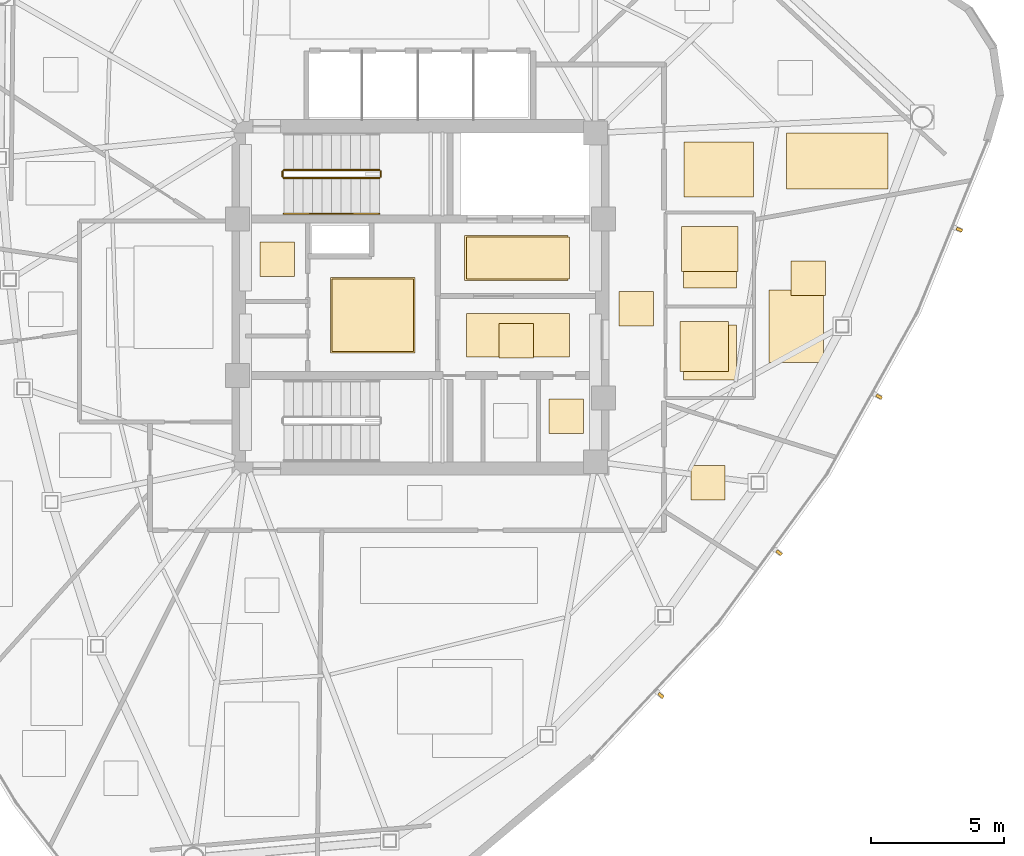
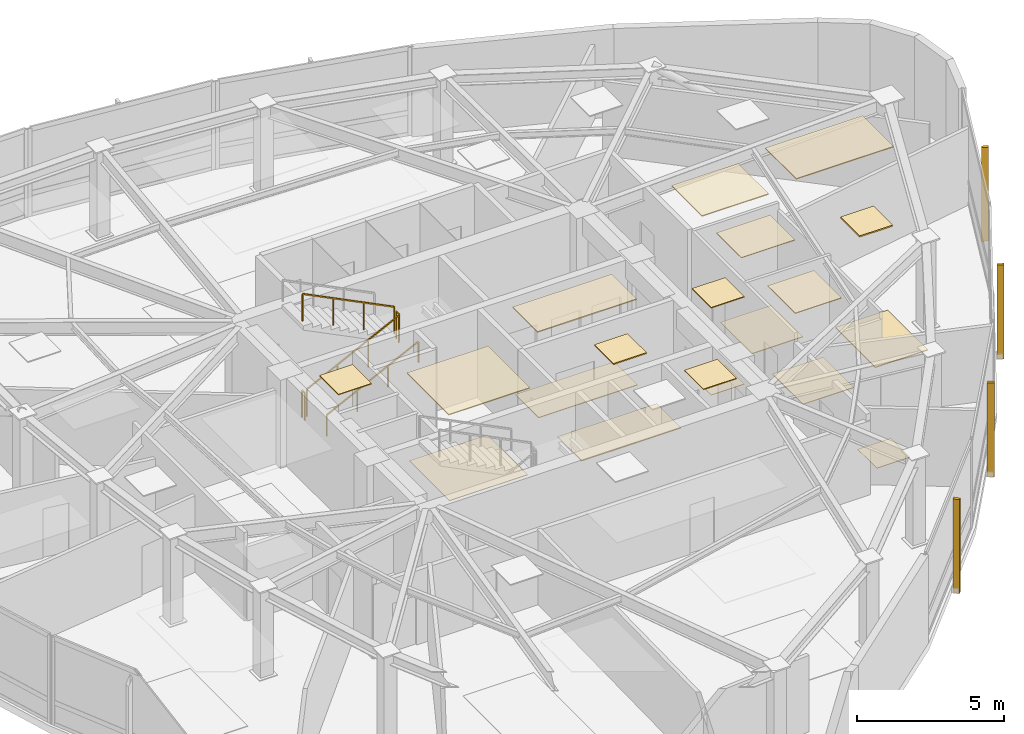
# One storey, part 13 of 14: 19 coverings, 5 railings, 4 shading devices.
"""IFC4 building model written with IfcOpenShell, lengths in metres."""

from ifc_helpers import new_model, si_unit, direction, frame, origin, origin_2d, place, context, subcontext, project, spatial, polyline, rectangle, outline, extrude, source, transform, mapped, material, layer, layer_set, type_object, type_shapes, element, save


model = new_model("IFC4")

# Units and contexts
model_context = context("Model", 3, precision=1e-05, world=origin(), true_north=direction((0.0, 1.0)))
body_context = subcontext(model_context, "Body", "Model", "MODEL_VIEW")
ifc_project = project(units=[si_unit("LENGTHUNIT", "METRE"), si_unit("AREAUNIT", "SQUARE_METRE"), si_unit("VOLUMEUNIT", "CUBIC_METRE"), si_unit("PLANEANGLEUNIT", "RADIAN"), si_unit("MASSUNIT", "GRAM", prefix="KILO")], contexts=[model_context])

# Site, building, storey
site_placement = place(None, origin())
site = spatial("IfcSite", under=ifc_project, at=site_placement, CompositionType="ELEMENT")
building_placement = place(site_placement, origin())
building = spatial("IfcBuilding", under=site, at=building_placement, Name="Tavelor Broadcast Tower", CompositionType="ELEMENT")
storey_placement = place(building_placement, frame((0.0, 0.0, 253.75)))
storey = spatial("IfcBuildingStorey", under=building, at=storey_placement, Name="L60", CompositionType="ELEMENT", Elevation=253.75)

# Coverings
ifc_material_1 = material(Name="Copper-Bronze Anodized Aluminium", Category="aluminium")
ifc_layer_1 = layer(ifc_material_1, 0.044921875)
ifc_layer_set_1 = layer_set([ifc_layer_1], Name="Copper-Bronze Anodized Aluminium")
covering_type_1 = type_object("IfcCoveringType", Name="Anodised Bronze Linear Slatted Concourse Ceiling 45 mm", PredefinedType="CEILING", material=ifc_layer_set_1)
covering_1_placement = place(storey_placement, frame((0.0, 0.0, 3.60498046875)))
element("IfcCovering", 1, at=covering_1_placement, inside=storey, type_object=covering_type_1, Name="L60 Suspended Acoustic Ceiling 2337", PredefinedType="CEILING", context=body_context, shape_type="SweptSolid", body=[
    extrude(outline(polyline([(51.659912109375, 45.6318359375), (55.55712890625, 45.6318359375), (55.55712890625, 47.328125), (51.659912109375, 47.328125), (51.659912109375, 45.6318359375)])), origin(), (0.0, 0.0, 1.0), 0.044921875),
])
covering_2_placement = place(storey_placement, frame((0.0, 0.0, 3.60498046875)))
element("IfcCovering", 2, at=covering_2_placement, inside=storey, type_object=covering_type_1, Name="L60 Suspended Acoustic Ceiling 2338", PredefinedType="CEILING", context=body_context, shape_type="SweptSolid", body=[
    extrude(outline(polyline([(52.95361328125, 42.705078125), (54.25341796875, 42.705078125), (54.25341796875, 44.0048828125), (52.95361328125, 44.0048828125), (52.95361328125, 42.705078125)])), origin(), (0.0, 0.0, 1.0), 0.044921875),
])

# Railing
ifc_material_2 = material(Name="Steel S355", Category="steel")
railing_type_1 = type_object("IfcRailingType", Name="Continuous Brushed Stainless Handrail 900 mm", PredefinedType="HANDRAIL", material=ifc_material_2)
railing_1_placement = place(storey_placement, frame((44.85009765625, 48.14990234375, 0.179443359375)))
element("IfcRailing", 3, at=railing_1_placement, inside=storey, type_object=railing_type_1, Name="L60 ST1 stair handrail 1", PredefinedType="HANDRAIL", context=body_context, shape_type="SweptSolid", body=[
    extrude(rectangle(XDim=0.048095703125, YDim=0.048095703125, at=origin_2d()), frame((0.0, 0.0, 0.8759765625), z_axis=(0.894851606799, 0.0, 0.446363755036), x_axis=(0.0, 1.0, 0.0)), (0.0, 0.0, 1.0), 4.02294921875),
    extrude(rectangle(XDim=0.0419921875, YDim=0.0419921875, at=origin_2d()), origin(), (0.0, 0.0, 1.0), 0.851806640625),
    extrude(rectangle(XDim=0.0419921875, YDim=0.0419921875, at=origin_2d()), frame((1.199951171875, 0.0, 0.5986328125)), (0.0, 0.0, 1.0), 0.851806640625),
    extrude(rectangle(XDim=0.0419921875, YDim=0.0419921875, at=origin_2d()), frame((2.39990234375, 0.0, 1.197021484375)), (0.0, 0.0, 1.0), 0.851806640625),
    extrude(rectangle(XDim=0.0419921875, YDim=0.0419921875, at=origin_2d()), frame((3.599853515625, 0.0, 1.795654296875)), (0.0, 0.0, 1.0), 0.851806640625),
])

# Coverings
ifc_material_3 = material(Name="Architectural Anodized Aluminium", Category="aluminium")
ifc_layer_2 = layer(ifc_material_3, 0.034912109375)
ifc_layer_set_2 = layer_set([ifc_layer_2], Name="Architectural Anodized Aluminium")
covering_type_2 = type_object("IfcCoveringType", Name="Demountable Metal Tile Corridor Ceiling 35 mm", PredefinedType="CEILING", material=ifc_layer_set_2)
covering_3_placement = place(storey_placement, frame((0.0, 0.0, 3.614990234375)))
element("IfcCovering", 4, at=covering_3_placement, inside=storey, type_object=covering_type_2, Name="L60 Suspended Acoustic Ceiling 2343", PredefinedType="CEILING", context=body_context, shape_type="SweptSolid", body=[
    extrude(outline(polyline([(57.489990234375, 43.925048828125), (58.7900390625, 43.925048828125), (58.7900390625, 45.22509765625), (57.489990234375, 45.22509765625), (57.489990234375, 43.925048828125)])), origin(), (0.0, 0.0, 1.0), 0.034912109375),
])
ifc_material_4 = material(Name="Acoustic Nylon Carpet Tile")
ifc_layer_3 = layer(ifc_material_4, 0.02001953125)
ifc_layer_set_3 = layer_set([ifc_layer_3], Name="Acoustic Nylon Carpet Tile")
covering_type_3 = type_object("IfcCoveringType", Name="Heavy-Duty Acoustic Broadcast Carpet Tile 20 mm", PredefinedType="FLOORING", material=ifc_layer_set_3)
covering_4_placement = place(storey_placement, origin())
element("IfcCovering", 5, at=covering_4_placement, inside=storey, type_object=covering_type_3, Name="L60 Broadcast Floor Finish 0880", PredefinedType="FLOORING", context=body_context, shape_type="SweptSolid", body=[
    extrude(outline(polyline([(46.6591796875, 42.953369140625), (49.730712890625, 42.953369140625), (49.730712890625, 45.6865234375), (46.6591796875, 45.6865234375), (46.6591796875, 42.953369140625)])), origin(), (0.0, 0.0, 1.0), 0.02001953125),
])
covering_5_placement = place(storey_placement, origin())
element("IfcCovering", 6, at=covering_5_placement, inside=storey, type_object=covering_type_3, Name="L60 Broadcast Floor Finish 0881", PredefinedType="FLOORING", context=body_context, shape_type="SweptSolid", body=[
    extrude(outline(polyline([(57.489990234375, 43.925048828125), (58.7900390625, 43.925048828125), (58.7900390625, 45.22509765625), (57.489990234375, 45.22509765625), (57.489990234375, 43.925048828125)])), origin(), (0.0, 0.0, 1.0), 0.02001953125),
])
covering_6_placement = place(storey_placement, origin())
element("IfcCovering", 7, at=covering_6_placement, inside=storey, type_object=covering_type_3, Name="L60 Broadcast Floor Finish 0893", PredefinedType="FLOORING", context=body_context, shape_type="SweptSolid", body=[
    extrude(outline(polyline([(60.193115234375, 37.359130859375), (61.4931640625, 37.359130859375), (61.4931640625, 38.6591796875), (60.193115234375, 38.6591796875), (60.193115234375, 37.359130859375)])), origin(), (0.0, 0.0, 1.0), 0.02001953125),
])
ifc_material_5 = material(Name="Honed Natural Limestone Tile", Category="masonry")
ifc_layer_4 = layer(ifc_material_5, 0.030029296875)
ifc_layer_set_4 = layer_set([ifc_layer_4], Name="Honed Natural Limestone Tile")
covering_type_4 = type_object("IfcCoveringType", Name="Honed Jerusalem Limestone Concourse Flooring 30 mm", PredefinedType="FLOORING", material=ifc_layer_set_4)
covering_7_placement = place(storey_placement, origin())
element("IfcCovering", 8, at=covering_7_placement, inside=storey, type_object=covering_type_4, Name="L60 Broadcast Floor Finish 0878", PredefinedType="FLOORING", context=body_context, shape_type="SweptSolid", body=[
    extrude(outline(polyline([(51.7373046875, 45.689453125), (55.62255859375, 45.689453125), (55.62255859375, 47.2705078125), (51.7373046875, 47.2705078125), (51.7373046875, 45.689453125)])), origin(), (0.0, 0.0, 1.0), 0.030029296875),
])
covering_8_placement = place(storey_placement, origin())
element("IfcCovering", 9, at=covering_8_placement, inside=storey, type_object=covering_type_4, Name="L60 Broadcast Floor Finish 0879", PredefinedType="FLOORING", context=body_context, shape_type="SweptSolid", body=[
    extrude(outline(polyline([(51.728759765625, 42.743408203125), (55.62109375, 42.743408203125), (55.62109375, 44.396484375), (51.728759765625, 44.396484375), (51.728759765625, 42.743408203125)])), origin(), (0.0, 0.0, 1.0), 0.030029296875),
])
ifc_material_6 = material(Name="Acoustic Hardwood Studio Flooring", Category="wood")
ifc_layer_5 = layer(ifc_material_6, 0.034912109375)
ifc_layer_set_5 = layer_set([ifc_layer_5], Name="Acoustic Hardwood Studio Flooring")
covering_type_5 = type_object("IfcCoveringType", Name="Isolated Studio Acoustic Elastomeric Floor Finish 35 mm", PredefinedType="FLOORING", material=ifc_layer_set_5)
covering_9_placement = place(storey_placement, origin())
element("IfcCovering", 10, at=covering_9_placement, inside=storey, type_object=covering_type_5, Name="L60 Broadcast Floor Finish 0892", PredefinedType="FLOORING", context=body_context, shape_type="SweptSolid", body=[
    extrude(outline(polyline([(63.135009765625, 42.548583984375), (65.1923828125, 42.548583984375), (65.1923828125, 45.27001953125), (63.135009765625, 45.27001953125), (63.135009765625, 42.548583984375)])), origin(), (0.0, 0.0, 1.0), 0.034912109375),
])
ifc_material_7 = material(Name="Acoustic Perforated Timber Baffle", Category="wood")
ifc_layer_6 = layer(ifc_material_7, 0.054931640625)
ifc_layer_set_6 = layer_set([ifc_layer_6], Name="Acoustic Perforated Timber Baffle")
covering_type_6 = type_object("IfcCoveringType", Name="Micro-Perforated Acoustic Baffle Studio Ceiling 55 mm", PredefinedType="CEILING", material=ifc_layer_set_6)
covering_10_placement = place(storey_placement, frame((0.0, 0.0, 3.594970703125)))
element("IfcCovering", 11, at=covering_10_placement, inside=storey, type_object=covering_type_6, Name="L60 Suspended Acoustic Ceiling 2371", PredefinedType="CEILING", context=body_context, shape_type="SweptSolid", body=[
    extrude(outline(polyline([(63.973388671875, 45.072021484375), (65.273193359375, 45.072021484375), (65.273193359375, 46.3720703125), (63.973388671875, 46.3720703125), (63.973388671875, 45.072021484375)])), origin(), (0.0, 0.0, 1.0), 0.054931640625),
])
ifc_layer_7 = layer(ifc_material_3, 0.030029296875)
ifc_layer_set_7 = layer_set([ifc_layer_7], Name="Architectural Anodized Aluminium")
covering_type_7 = type_object("IfcCoveringType", Name="Moisture-Resistant Washroom Ceiling 30 mm", PredefinedType="CEILING", material=ifc_layer_set_7)
covering_11_placement = place(storey_placement, frame((0.0, 0.0, 3.6201171875)))
element("IfcCovering", 12, at=covering_11_placement, inside=storey, type_object=covering_type_7, Name="L60 Suspended Acoustic Ceiling 2341", PredefinedType="CEILING", context=body_context, shape_type="SweptSolid", body=[
    extrude(outline(polyline([(54.843505859375, 39.866455078125), (56.1435546875, 39.866455078125), (56.1435546875, 41.16650390625), (54.843505859375, 41.16650390625), (54.843505859375, 39.866455078125)])), origin(), (0.0, 0.0, 1.0), 0.02978515625),
])
covering_12_placement = place(storey_placement, frame((0.0, 0.0, 3.6201171875)))
element("IfcCovering", 13, at=covering_12_placement, inside=storey, type_object=covering_type_7, Name="L60 Suspended Acoustic Ceiling 2342", PredefinedType="CEILING", context=body_context, shape_type="SweptSolid", body=[
    extrude(outline(polyline([(43.951416015625, 45.794921875), (45.25146484375, 45.794921875), (45.25146484375, 47.094970703125), (43.951416015625, 47.094970703125), (43.951416015625, 45.794921875)])), origin(), (0.0, 0.0, 1.0), 0.02978515625),
])
covering_13_placement = place(storey_placement, frame((0.0, 0.0, 3.6201171875)))
element("IfcCovering", 14, at=covering_13_placement, inside=storey, type_object=covering_type_7, Name="L60 Suspended Acoustic Ceiling 2346", PredefinedType="CEILING", context=body_context, shape_type="SweptSolid", body=[
    extrude(outline(polyline([(59.7958984375, 42.2060546875), (61.615966796875, 42.2060546875), (61.615966796875, 44.0830078125), (59.7958984375, 44.0830078125), (59.7958984375, 42.2060546875)])), origin(), (0.0, 0.0, 1.0), 0.02978515625),
])
covering_14_placement = place(storey_placement, frame((0.0, 0.0, 3.6201171875)))
element("IfcCovering", 15, at=covering_14_placement, inside=storey, type_object=covering_type_7, Name="L60 Suspended Acoustic Ceiling 2347", PredefinedType="CEILING", context=body_context, shape_type="SweptSolid", body=[
    extrude(outline(polyline([(59.85302734375, 45.971435546875), (61.967041015625, 45.971435546875), (61.967041015625, 47.668212890625), (59.85302734375, 47.668212890625), (59.85302734375, 45.971435546875)])), origin(), (0.0, 0.0, 1.0), 0.02978515625),
])
ifc_material_8 = material(Name="Slip-Resistant Porcelain Tile")
ifc_layer_8 = layer(ifc_material_8, 0.02490234375)
ifc_layer_set_8 = layer_set([ifc_layer_8], Name="Slip-Resistant Porcelain Tile")
covering_type_8 = type_object("IfcCoveringType", Name="Slip-Resistant Porcelain Wet-Area Floor Tile 25 mm", PredefinedType="FLOORING", material=ifc_layer_set_8)
covering_15_placement = place(storey_placement, origin())
element("IfcCovering", 16, at=covering_15_placement, inside=storey, type_object=covering_type_8, Name="L60 Broadcast Floor Finish 0883", PredefinedType="FLOORING", context=body_context, shape_type="SweptSolid", body=[
    extrude(outline(polyline([(59.91064453125, 41.885986328125), (61.909423828125, 41.885986328125), (61.909423828125, 43.964111328125), (59.91064453125, 43.964111328125), (59.91064453125, 41.885986328125)])), origin(), (0.0, 0.0, 1.0), 0.02490234375),
])
covering_16_placement = place(storey_placement, origin())
element("IfcCovering", 17, at=covering_16_placement, inside=storey, type_object=covering_type_8, Name="L60 Broadcast Floor Finish 0884", PredefinedType="FLOORING", context=body_context, shape_type="SweptSolid", body=[
    extrude(outline(polyline([(59.91064453125, 45.35009765625), (61.909423828125, 45.35009765625), (61.909423828125, 47.5), (59.91064453125, 47.5), (59.91064453125, 45.35009765625)])), origin(), (0.0, 0.0, 1.0), 0.02490234375),
])

# Railings
railing_type_2 = type_object("IfcRailingType", Name="Stairwell Steel Safety Guardrail 1150 mm", PredefinedType="GUARDRAIL", material=ifc_material_2)
railing_2_placement = place(storey_placement, frame((44.85009765625, 49.5, 0.179443359375)))
element("IfcRailing", 18, at=railing_2_placement, inside=storey, type_object=railing_type_2, Name="L60 ST1 stair guard 1", PredefinedType="GUARDRAIL", context=body_context, shape_type="SweptSolid", body=[
    extrude(rectangle(XDim=0.048095703125, YDim=0.048095703125, at=origin_2d()), frame((0.0, 0.0, 1.1259765625), z_axis=(0.894851606799, 0.0, 0.446363755036), x_axis=(0.0, 1.0, 0.0)), (0.0, 0.0, 1.0), 4.02294921875),
    extrude(rectangle(XDim=0.0419921875, YDim=0.0419921875, at=origin_2d()), origin(), (0.0, 0.0, 1.0), 1.101806640625),
    extrude(rectangle(XDim=0.0419921875, YDim=0.0419921875, at=origin_2d()), frame((1.199951171875, 0.0, 0.5986328125)), (0.0, 0.0, 1.0), 1.101806640625),
    extrude(rectangle(XDim=0.0419921875, YDim=0.0419921875, at=origin_2d()), frame((2.39990234375, 0.0, 1.197021484375)), (0.0, 0.0, 1.0), 1.101806640625),
    extrude(rectangle(XDim=0.0419921875, YDim=0.0419921875, at=origin_2d()), frame((3.599853515625, 0.0, 1.795654296875)), (0.0, 0.0, 1.0), 1.101806640625),
])
railing_3_placement = place(storey_placement, frame((48.5, 49.550048828125, 1.97509765625)))
element("IfcRailing", 19, at=railing_3_placement, inside=storey, type_object=railing_type_2, Name="L60 ST1 stair guard 2", PredefinedType="GUARDRAIL", context=body_context, shape_type="SweptSolid", body=[
    extrude(rectangle(XDim=0.048095703125, YDim=0.048095703125, at=origin_2d()), frame((0.0, 0.0, 1.1259765625), z_axis=(0.0, 1.0, 0.0), x_axis=(-1.0, 0.0, 0.0)), (0.0, 0.0, 1.0), 0.199951171875),
    extrude(rectangle(XDim=0.0419921875, YDim=0.0419921875, at=origin_2d()), origin(), (0.0, 0.0, 1.0), 1.101806640625),
    extrude(rectangle(XDim=0.0419921875, YDim=0.0419921875, at=origin_2d()), frame((0.0, 0.199951171875, 0.0)), (0.0, 0.0, 1.0), 1.101806640625),
])
railing_4_placement = place(storey_placement, frame((48.449951171875, 49.800048828125, 2.154541015625)))
element("IfcRailing", 20, at=railing_4_placement, inside=storey, type_object=railing_type_2, Name="L60 ST1 stair guard 3", PredefinedType="GUARDRAIL", context=body_context, shape_type="SweptSolid", body=[
    extrude(rectangle(XDim=0.048095703125, YDim=0.048095703125, at=origin_2d()), frame((0.0, 0.0, 1.1259765625), z_axis=(-0.894875846893, 0.0, 0.446315156192), x_axis=(0.0, -1.0, 0.0)), (0.0, 0.0, 1.0), 4.022705078125),
    extrude(rectangle(XDim=0.0419921875, YDim=0.0419921875, at=origin_2d()), origin(), (0.0, 0.0, 1.0), 1.101806640625),
    extrude(rectangle(XDim=0.0419921875, YDim=0.0419921875, at=origin_2d()), frame((-1.199951171875, 0.0, 0.598388671875)), (0.0, 0.0, 1.0), 1.101806640625),
    extrude(rectangle(XDim=0.0419921875, YDim=0.0419921875, at=origin_2d()), frame((-2.39990234375, 0.0, 1.197021484375)), (0.0, 0.0, 1.0), 1.101806640625),
    extrude(rectangle(XDim=0.0419921875, YDim=0.0419921875, at=origin_2d()), frame((-3.599853515625, 0.0, 1.79541015625)), (0.0, 0.0, 1.0), 1.101806640625),
])
railing_5_placement = place(storey_placement, frame((44.800048828125, 49.550048828125, 0.0)))
element("IfcRailing", 21, at=railing_5_placement, inside=storey, type_object=railing_type_2, Name="L60 ST1 stair guard 4", PredefinedType="GUARDRAIL", context=body_context, shape_type="SweptSolid", body=[
    extrude(rectangle(XDim=0.048095703125, YDim=0.048095703125, at=origin_2d()), frame((0.0, 0.0, 1.1259765625), z_axis=(0.0, 1.0, 0.0), x_axis=(-1.0, 0.0, 0.0)), (0.0, 0.0, 1.0), 0.199951171875),
    extrude(rectangle(XDim=0.0419921875, YDim=0.0419921875, at=origin_2d()), origin(), (0.0, 0.0, 1.0), 1.101806640625),
    extrude(rectangle(XDim=0.0419921875, YDim=0.0419921875, at=origin_2d()), frame((0.0, 0.199951171875, 0.0)), (0.0, 0.0, 1.0), 1.101806640625),
])

# Coverings
ifc_material_9 = material(Name="Acoustic Mineral Fibre Tile")
ifc_layer_9 = layer(ifc_material_9, 0.0400390625)
ifc_layer_set_9 = layer_set([ifc_layer_9], Name="Acoustic Mineral Fibre Tile")
covering_type_9 = type_object("IfcCoveringType", Name="Suspended Acoustic Mineral-Fibre Office Ceiling 40 mm", PredefinedType="CEILING", material=ifc_layer_set_9)
covering_17_placement = place(storey_placement, frame((0.0, 0.0, 3.610107421875)))
element("IfcCovering", 22, at=covering_17_placement, inside=storey, type_object=covering_type_9, Name="L60 Suspended Acoustic Ceiling 2339", PredefinedType="CEILING", context=body_context, shape_type="SweptSolid", body=[
    extrude(outline(polyline([(46.6015625, 42.895751953125), (49.788330078125, 42.895751953125), (49.788330078125, 45.744140625), (46.6015625, 45.744140625), (46.6015625, 42.895751953125)])), origin(), (0.0, 0.0, 1.0), 0.039794921875),
])
covering_18_placement = place(storey_placement, frame((0.0, 0.0, 3.610107421875)))
element("IfcCovering", 23, at=covering_18_placement, inside=storey, type_object=covering_type_9, Name="L60 Suspended Acoustic Ceiling 2369", PredefinedType="CEILING", context=body_context, shape_type="SweptSolid", body=[
    extrude(outline(polyline([(63.806640625, 49.089599609375), (67.62744140625, 49.089599609375), (67.62744140625, 51.193603515625), (63.806640625, 51.193603515625), (63.806640625, 49.089599609375)])), origin(), (0.0, 0.0, 1.0), 0.039794921875),
])
covering_19_placement = place(storey_placement, frame((0.0, 0.0, 3.610107421875)))
element("IfcCovering", 24, at=covering_19_placement, inside=storey, type_object=covering_type_9, Name="L60 Suspended Acoustic Ceiling 2370", PredefinedType="CEILING", context=body_context, shape_type="SweptSolid", body=[
    extrude(outline(polyline([(59.935791015625, 48.783935546875), (62.552734375, 48.783935546875), (62.552734375, 50.8603515625), (59.935791015625, 50.8603515625), (59.935791015625, 48.783935546875)])), origin(), (0.0, 0.0, 1.0), 0.039794921875),
])

# Shading devices
ifc_material_10 = material(Name="Kiln-Fired Glazed Terracotta", Category="masonry")
shading_device_type = type_object("IfcShadingDeviceType", Name="Extruded Terracotta Baguette Sun-Screen 110x240", PredefinedType="JALOUSIE", material=ifc_material_10)
shared_shape = source(origin(), body_context, "Body", "SweptSolid", [
    extrude(rectangle(XDim=0.110107421875, YDim=0.239990234375, at=origin_2d()), origin(), (0.0, 0.0, 1.0), 3.889892578125),
])
type_shapes(shading_device_type, [shared_shape])
for number, where, z_axis, x_axis, name in (
    (25, (59.068603515625, 29.983642578125, -0.259765625), (0.0, 0.0, 1.0), (0.683018857343, 0.730400739673, 0.0), "L60 Terracotta Baguette Fin 629"),
    (26, (63.524169921875, 35.369384765625, -0.259765625), (0.0, 0.0, 1.0), (0.589619339082, 0.807681270663, 0.0), "L60 Terracotta Baguette Fin 630"),
    (27, (67.29541015625, 41.2548828125, -0.259765625), (0.0, 0.0, 1.0), (0.487402531354, 0.87317740032, 0.0), "L60 Terracotta Baguette Fin 631"),
    (28, (70.326416015625, 47.55322265625, -0.259765625), (0.0, 0.0, 1.0), (0.378163953596, 0.92573863709, 0.0), "L60 Terracotta Baguette Fin 632"),
):
    element("IfcShadingDevice", number, at=place(storey_placement, frame(where, z_axis=z_axis, x_axis=x_axis)), inside=storey, type_object=shading_device_type, Name=name, PredefinedType="JALOUSIE", context=body_context, shape_type="MappedRepresentation", body=[
        mapped(shared_shape, transform((0.0, 0.0, 0.0), scale=1.0)),
    ])

save(model, "model.ifc")
